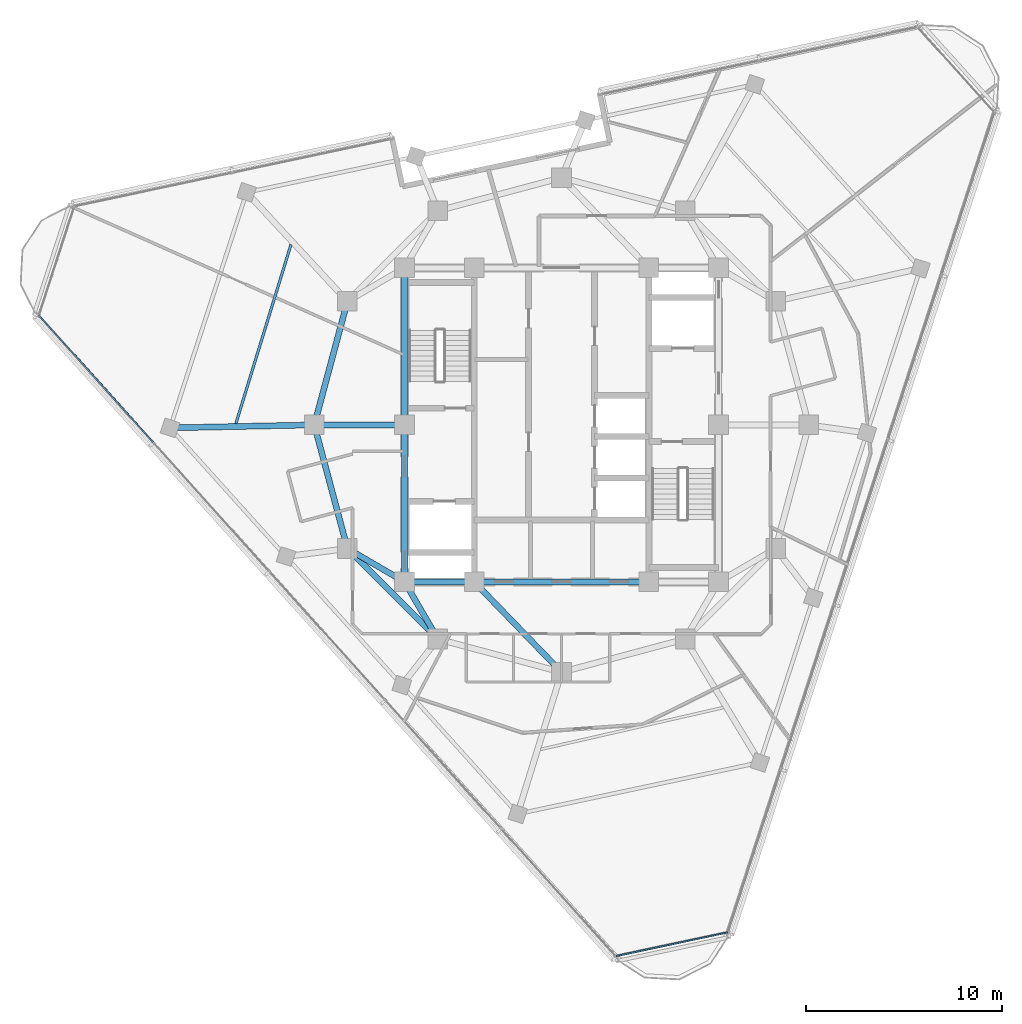
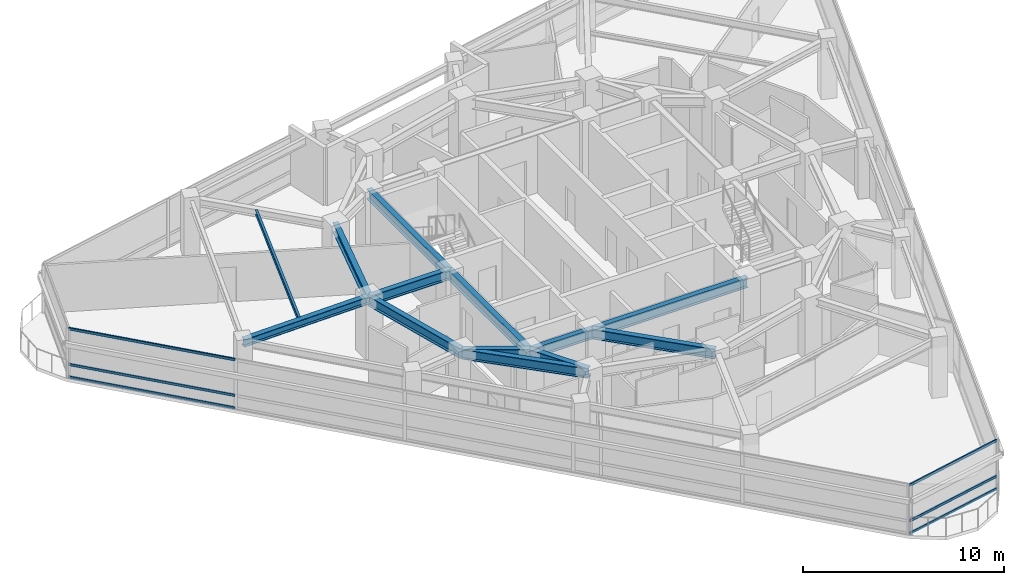
# One storey, part 3 of 15: 13 beams, 6 members, 2 elements without a shape of their own.
"""IFC4 building model written with IfcOpenShell, lengths in metres."""

from ifc_helpers import new_model, si_unit, direction, frame, origin, origin_2d, place, context, subcontext, project, spatial, rectangle, i_section, extrude, material, layer, layer_set, material_profile, profile_set, type_object, element, aggregate, save


model = new_model("IFC4")

# Units and contexts
model_context = context("Model", 3, precision=1e-05, world=origin(), true_north=direction((0.0, 1.0)))
body_context = subcontext(model_context, "Body", "Model", "MODEL_VIEW")
ifc_project = project(units=[si_unit("LENGTHUNIT", "METRE"), si_unit("AREAUNIT", "SQUARE_METRE"), si_unit("VOLUMEUNIT", "CUBIC_METRE"), si_unit("PLANEANGLEUNIT", "RADIAN"), si_unit("MASSUNIT", "GRAM", prefix="KILO")], contexts=[model_context])

# Site, building, storey
site_placement = place(None, origin())
site = spatial("IfcSite", under=ifc_project, at=site_placement, CompositionType="ELEMENT")
building_placement = place(site_placement, origin())
building = spatial("IfcBuilding", under=site, at=building_placement, Name="Terralouvre Media Tower", CompositionType="ELEMENT")
storey_placement = place(building_placement, frame((0.0, 0.0, 298.0)))
storey = spatial("IfcBuildingStorey", under=building, at=storey_placement, Name="L77", CompositionType="ELEMENT", Elevation=298.0)

# Beam
ifc_material_1 = material(Name="Structural steel S355J2", Category="steel")
ifc_material_profile_1 = material_profile(ifc_material_1, i_section(OverallWidth=0.135009765625, OverallDepth=0.27001953125, WebThickness=0.006591796875, FlangeThickness=0.01025390625, at=origin_2d()), Name="IPE 270")
ifc_profile_set_1 = profile_set([ifc_material_profile_1], Name="Structural steel S355J2")
beam_type_1 = type_object("IfcBeamType", Name="Composite Floor Joist J-IPE270 (IPE 270)", PredefinedType="JOIST", material=ifc_profile_set_1)
beam_1_placement = place(storey_placement, frame((-13.788330078125, 9.187744140625, 3.364990234375), z_axis=(-0.294195495195, -0.955745264496, 0.0), x_axis=(0.955745264496, -0.294195495195, 0.0)))
element("IfcBeam", 1, at=beam_1_placement, inside=storey, type_object=beam_type_1, Name="L77 Framing Beam JT-L77-06", PredefinedType="JOIST", context=body_context, shape_type="SweptSolid", body=[
    extrude(i_section(OverallWidth=0.135009765625, OverallDepth=0.27001953125, WebThickness=0.006591796875, FlangeThickness=0.01025390625, at=origin_2d()), origin(), (0.0, 0.0, 1.0), 9.544189453125),
])

# Curtain wall, members
ifc_material_2 = material(Name="Low-iron laminated double glazing with solar-control coating", Category="glass")
ifc_layer_1 = layer(ifc_material_2, 0.1650390625, Name="Faceted Glass-Point Crown Curtain Wall CW-06")
ifc_layer_set_1 = layer_set([ifc_layer_1], Name="Low-iron laminated double glazing with solar-control coating")
curtain_wall_type_1 = type_object("IfcCurtainWallType", Name="Faceted Glass-Point Crown Curtain Wall CW-06", PredefinedType="NOTDEFINED", material=ifc_layer_set_1)
curtain_wall_1_placement = place(storey_placement, origin())
curtain_wall_1 = element("IfcCurtainWall", 2, at=curtain_wall_1_placement, inside=storey, type_object=curtain_wall_type_1, Name="L77 Facade Curtain Wall F2", PredefinedType="NOTDEFINED")
ifc_material_3 = material(Name="Anodised extruded aluminium 6063-T6", Category="aluminium")
ifc_material_profile_2 = material_profile(ifc_material_3, rectangle(XDim=0.074951171875, YDim=0.14990234375, at=origin_2d()), Name="ALU 75x150")
ifc_profile_set_2 = profile_set([ifc_material_profile_2], Name="Anodised extruded aluminium 6063-T6")
member_type = type_object("IfcMemberType", Name="Curtain-Wall Horizontal Transom TR-150", PredefinedType="USERDEFINED", material=ifc_profile_set_2)
member_1_placement = place(storey_placement, frame((-26.64306640625, 5.59423828125, 0.03759765625), z_axis=(0.669130389016, -0.743145021174, 0.0), x_axis=(0.743145021174, 0.669130389016, 0.0)))
member_1 = element("IfcMember", 3, at=member_1_placement, type_object=member_type, Name="CW-06 transom 1.1", ObjectType="TRANSOM", PredefinedType="USERDEFINED", context=body_context, shape_type="SweptSolid", body=[
    extrude(rectangle(XDim=0.074951171875, YDim=0.14990234375, at=origin_2d()), origin(), (0.0, 0.0, 1.0), 8.71142578125),
])
member_2_placement = place(storey_placement, frame((-26.64306640625, 5.59423828125, 0.800048828125), z_axis=(0.669130389016, -0.743145021174, 0.0), x_axis=(0.743145021174, 0.669130389016, 0.0)))
member_2 = element("IfcMember", 4, at=member_2_placement, type_object=member_type, Name="CW-06 transom 1.2", ObjectType="TRANSOM", PredefinedType="USERDEFINED", context=body_context, shape_type="SweptSolid", body=[
    extrude(rectangle(XDim=0.074951171875, YDim=0.14990234375, at=origin_2d()), origin(), (0.0, 0.0, 1.0), 8.71142578125),
])
member_3_placement = place(storey_placement, frame((-26.64306640625, 5.59423828125, 2.96240234375), z_axis=(0.669130389016, -0.743145021174, 0.0), x_axis=(0.743145021174, 0.669130389016, 0.0)))
member_3 = element("IfcMember", 5, at=member_3_placement, type_object=member_type, Name="CW-06 transom 1.3", ObjectType="TRANSOM", PredefinedType="USERDEFINED", context=body_context, shape_type="SweptSolid", body=[
    extrude(rectangle(XDim=0.074951171875, YDim=0.14990234375, at=origin_2d()), origin(), (0.0, 0.0, 1.0), 8.71142578125),
])
aggregate(curtain_wall_1, [member_1, member_2, member_3])

ifc_material_4 = material(Name="Low-iron laminated double glazing with solar-control coating", Category="glass")
ifc_layer_2 = layer(ifc_material_4, 0.1650390625, Name="Rounded Wind-Corner Curved Glazing CW-04")
ifc_layer_set_2 = layer_set([ifc_layer_2], Name="Low-iron laminated double glazing with solar-control coating")
curtain_wall_type_2 = type_object("IfcCurtainWallType", Name="Rounded Wind-Corner Curved Glazing CW-04", PredefinedType="NOTDEFINED", material=ifc_layer_set_2)
curtain_wall_2_placement = place(storey_placement, origin())
curtain_wall_2 = element("IfcCurtainWall", 6, at=curtain_wall_2_placement, inside=storey, type_object=curtain_wall_type_2, Name="L77 Rounded Wind-Corner Curtain Wall C0", PredefinedType="NOTDEFINED")
member_4_placement = place(storey_placement, frame((2.783935546875, -27.0654296875, 0.03759765625), z_axis=(0.978142503597, 0.207935669515, 0.0), x_axis=(-0.207935669515, 0.978142503597, 0.0)))
member_4 = element("IfcMember", 7, at=member_4_placement, type_object=member_type, Name="CW-04 transom 1.1", ObjectType="TRANSOM", PredefinedType="USERDEFINED", context=body_context, shape_type="SweptSolid", body=[
    extrude(rectangle(XDim=0.074951171875, YDim=0.14990234375, at=origin_2d()), origin(), (0.0, 0.0, 1.0), 5.808349609375),
])
member_5_placement = place(storey_placement, frame((2.783935546875, -27.0654296875, 0.800048828125), z_axis=(0.978142503597, 0.207935669515, 0.0), x_axis=(-0.207935669515, 0.978142503597, 0.0)))
member_5 = element("IfcMember", 8, at=member_5_placement, type_object=member_type, Name="CW-04 transom 1.2", ObjectType="TRANSOM", PredefinedType="USERDEFINED", context=body_context, shape_type="SweptSolid", body=[
    extrude(rectangle(XDim=0.074951171875, YDim=0.14990234375, at=origin_2d()), origin(), (0.0, 0.0, 1.0), 5.808349609375),
])
member_6_placement = place(storey_placement, frame((2.783935546875, -27.0654296875, 2.96240234375), z_axis=(0.978142503597, 0.207935669515, 0.0), x_axis=(-0.207935669515, 0.978142503597, 0.0)))
member_6 = element("IfcMember", 9, at=member_6_placement, type_object=member_type, Name="CW-04 transom 1.3", ObjectType="TRANSOM", PredefinedType="USERDEFINED", context=body_context, shape_type="SweptSolid", body=[
    extrude(rectangle(XDim=0.074951171875, YDim=0.14990234375, at=origin_2d()), origin(), (0.0, 0.0, 1.0), 5.808349609375),
])
aggregate(curtain_wall_2, [member_4, member_5, member_6])

# Beams
ifc_material_5 = material(Name="Structural steel S355J2", Category="steel")
ifc_material_profile_3 = material_profile(ifc_material_5, i_section(OverallWidth=0.300048828125, OverallDepth=0.449951171875, WebThickness=0.013916015625, FlangeThickness=0.02587890625, at=origin_2d()), Name="HEB 450")
ifc_profile_set_3 = profile_set([ifc_material_profile_3], Name="Structural steel S355J2")
beam_type_2 = type_object("IfcBeamType", Name="Primary Floor Girder B-HEB450 (HEB 450)", PredefinedType="BEAM", material=ifc_profile_set_3)
beam_2_placement = place(storey_placement, frame((-12.60009765625, 0.0, 3.27490234375), z_axis=(-0.999787942628, -0.020592954534, 0.0), x_axis=(0.020592954534, -0.999787942628, 0.0)))
element("IfcBeam", 10, at=beam_2_placement, inside=storey, type_object=beam_type_2, Name="L77 Framing Beam BM-L77-RD01", PredefinedType="BEAM", context=body_context, shape_type="SweptSolid", body=[
    extrude(i_section(OverallWidth=0.300048828125, OverallDepth=0.449951171875, WebThickness=0.013916015625, FlangeThickness=0.02587890625, at=origin_2d()), origin(), (0.0, 0.0, 1.0), 7.350341796875),
])
ifc_material_6 = material(Name="Structural steel S460M", Category="steel")
ifc_material_profile_4 = material_profile(ifc_material_6, i_section(OverallWidth=0.300048828125, OverallDepth=0.60009765625, WebThickness=0.015380859375, FlangeThickness=0.030029296875, at=origin_2d()), Name="HEB 600")
ifc_profile_set_4 = profile_set([ifc_material_profile_4], Name="Structural steel S460M")
beam_type_3 = type_object("IfcBeamType", Name="Primary Floor Girder B-HEB600 (HEB 600)", PredefinedType="BEAM", material=ifc_profile_set_4)
beam_3_placement = place(storey_placement, frame((-8.0, -8.0, 3.199951171875), z_axis=(1.0, 0.0, 0.0), x_axis=(0.0, 1.0, 0.0)))
element("IfcBeam", 11, at=beam_3_placement, inside=storey, type_object=beam_type_3, Name="L77 Framing Beam BM-L77-CPR01", PredefinedType="BEAM", context=body_context, shape_type="SweptSolid", body=[
    extrude(i_section(OverallWidth=0.300048828125, OverallDepth=0.60009765625, WebThickness=0.015380859375, FlangeThickness=0.030029296875, at=origin_2d()), origin(), (0.0, 0.0, 1.0), 3.550048828125),
])
beam_4_placement = place(storey_placement, frame((-4.449951171875, -8.0, 3.199951171875), z_axis=(1.0, 0.0, 0.0), x_axis=(0.0, 1.0, 0.0)))
element("IfcBeam", 12, at=beam_4_placement, inside=storey, type_object=beam_type_3, Name="L77 Framing Beam BM-L77-CPR02", PredefinedType="BEAM", context=body_context, shape_type="SweptSolid", body=[
    extrude(i_section(OverallWidth=0.300048828125, OverallDepth=0.60009765625, WebThickness=0.015380859375, FlangeThickness=0.030029296875, at=origin_2d()), origin(), (0.0, 0.0, 1.0), 8.89990234375),
])
for number, where, z_axis, x_axis, name in (
    (13, (-8.0, 8.0, 3.199951171875), (0.0, -1.0, 0.0), (1.0, 0.0, 0.0), "L77 Framing Beam BM-L77-CPR09"),
    (14, (-8.0, 0.0, 3.199951171875), (0.0, -1.0, 0.0), (1.0, 0.0, 0.0), "L77 Framing Beam BM-L77-CPR10"),
):
    element("IfcBeam", number, at=place(storey_placement, frame(where, z_axis=z_axis, x_axis=x_axis)), inside=storey, type_object=beam_type_3, Name=name, PredefinedType="BEAM", context=body_context, shape_type="SweptSolid", body=[
        extrude(i_section(OverallWidth=0.300048828125, OverallDepth=0.60009765625, WebThickness=0.015380859375, FlangeThickness=0.030029296875, at=origin_2d()), origin(), (0.0, 0.0, 1.0), 8.0),
    ])
beam_5_placement = place(storey_placement, frame((-10.911865234375, -6.300048828125, 3.199951171875), z_axis=(0.707106781187, -0.707106781187, 0.0), x_axis=(0.707106781187, 0.707106781187, 0.0)))
element("IfcBeam", 15, at=beam_5_placement, inside=storey, type_object=beam_type_3, Name="L77 Framing Beam BM-L77-MR01", PredefinedType="BEAM", context=body_context, shape_type="SweptSolid", body=[
    extrude(i_section(OverallWidth=0.300048828125, OverallDepth=0.60009765625, WebThickness=0.015380859375, FlangeThickness=0.030029296875, at=origin_2d()), origin(), (0.0, 0.0, 1.0), 6.52197265625),
])
for number, where, z_axis, x_axis, name in (
    (16, (-10.911865234375, 6.300048828125, 3.199951171875), (-0.258838989821, -0.965920481897, 0.0), (0.965920481897, -0.258838989821, 0.0), "L77 Framing Beam BM-L77-MR11"),
    (17, (-12.60009765625, 0.0, 3.199951171875), (0.258838989821, -0.965920481897, 0.0), (0.965920481897, 0.258838989821, 0.0), "L77 Framing Beam BM-L77-MR12"),
):
    element("IfcBeam", number, at=place(storey_placement, frame(where, z_axis=z_axis, x_axis=x_axis)), inside=storey, type_object=beam_type_3, Name=name, PredefinedType="BEAM", context=body_context, shape_type="SweptSolid", body=[
        extrude(i_section(OverallWidth=0.300048828125, OverallDepth=0.60009765625, WebThickness=0.015380859375, FlangeThickness=0.030029296875, at=origin_2d()), origin(), (0.0, 0.0, 1.0), 6.522216796875),
    ])
for number, where, z_axis, x_axis, name in (
    (18, (-8.0, -8.0, 3.199951171875), (-0.863602894532, 0.504172629717, 0.0), (-0.504172629717, -0.863602894532, 0.0), "L77 Framing Beam BM-L77-CM01"),
    (19, (-8.0, -8.0, 3.199951171875), (0.504172629717, -0.863602894532, 0.0), (0.863602894532, 0.504172629717, 0.0), "L77 Framing Beam BM-L77-CM02"),
):
    element("IfcBeam", number, at=place(storey_placement, frame(where, z_axis=z_axis, x_axis=x_axis)), inside=storey, type_object=beam_type_3, Name=name, PredefinedType="BEAM", context=body_context, shape_type="SweptSolid", body=[
        extrude(i_section(OverallWidth=0.300048828125, OverallDepth=0.60009765625, WebThickness=0.015380859375, FlangeThickness=0.030029296875, at=origin_2d()), origin(), (0.0, 0.0, 1.0), 3.371826171875),
    ])
beam_6_placement = place(storey_placement, frame((-4.449951171875, -8.0, 3.199951171875), z_axis=(0.695279715726, -0.718739255155, 0.0), x_axis=(0.718739255155, 0.695279715726, 0.0)))
element("IfcBeam", 20, at=beam_6_placement, inside=storey, type_object=beam_type_3, Name="L77 Framing Beam BM-L77-CM03", PredefinedType="BEAM", context=body_context, shape_type="SweptSolid", body=[
    extrude(i_section(OverallWidth=0.300048828125, OverallDepth=0.60009765625, WebThickness=0.015380859375, FlangeThickness=0.030029296875, at=origin_2d()), origin(), (0.0, 0.0, 1.0), 6.400146484375),
])
beam_7_placement = place(storey_placement, frame((-8.0, 0.0, 3.199951171875), z_axis=(-1.0, 0.0, 0.0), x_axis=(0.0, -1.0, 0.0)))
element("IfcBeam", 21, at=beam_7_placement, inside=storey, type_object=beam_type_3, Name="L77 Framing Beam BM-L77-CM12", PredefinedType="BEAM", context=body_context, shape_type="SweptSolid", body=[
    extrude(i_section(OverallWidth=0.300048828125, OverallDepth=0.60009765625, WebThickness=0.015380859375, FlangeThickness=0.030029296875, at=origin_2d()), origin(), (0.0, 0.0, 1.0), 4.60009765625),
])

save(model, "model.ifc")
